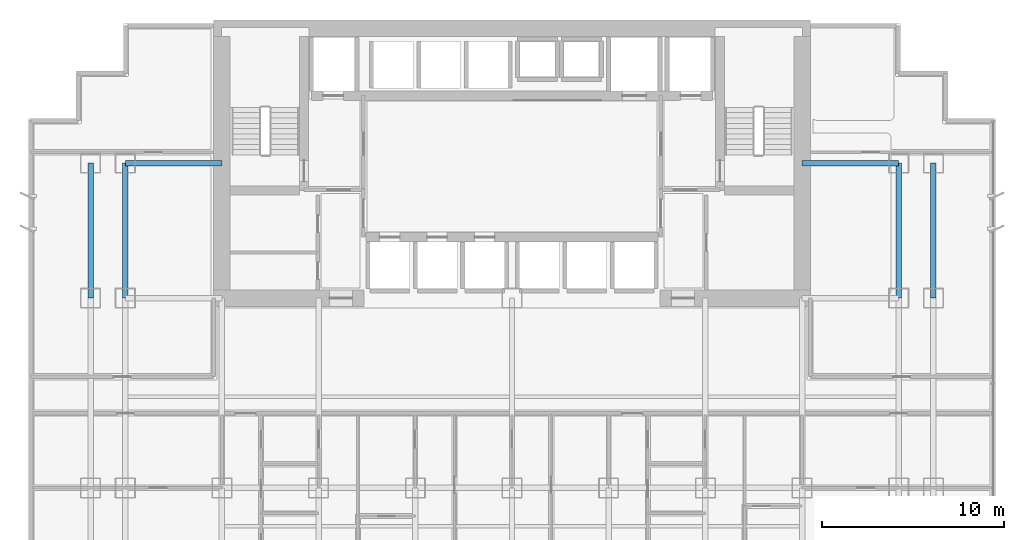
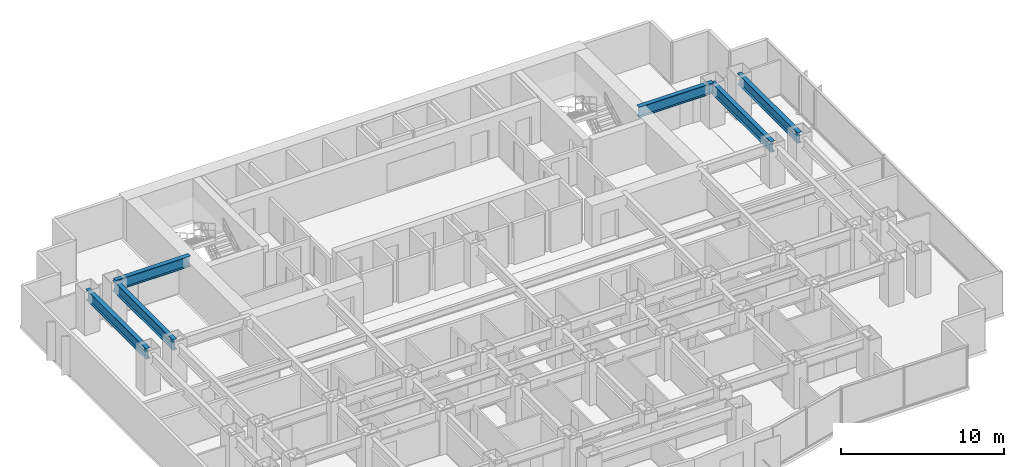
# One storey, part 4 of 12: 6 beams.
"""IFC4 building model written with IfcOpenShell, lengths in metres."""

from ifc_helpers import new_model, si_unit, direction, frame, origin, origin_2d, place, context, subcontext, project, spatial, i_section, extrude, material, material_profile, profile_set, type_object, element, save


model = new_model("IFC4")

# Units and contexts
model_context = context("Model", 3, precision=1e-05, world=origin(), true_north=direction((0.0, 1.0)))
body_context = subcontext(model_context, "Body", "Model", "MODEL_VIEW")
ifc_project = project(units=[si_unit("LENGTHUNIT", "METRE"), si_unit("AREAUNIT", "SQUARE_METRE"), si_unit("VOLUMEUNIT", "CUBIC_METRE"), si_unit("PLANEANGLEUNIT", "RADIAN"), si_unit("MASSUNIT", "GRAM", prefix="KILO")], contexts=[model_context])

# Site, building, storey
site_placement = place(None, origin())
site = spatial("IfcSite", under=ifc_project, at=site_placement, CompositionType="ELEMENT")
building_placement = place(site_placement, origin())
building = spatial("IfcBuilding", under=site, at=building_placement, Name="Qianlan Lanfeng Residences", CompositionType="ELEMENT")
storey_placement = place(building_placement, frame((0.0, 0.0, 63.800048828125)))
storey = spatial("IfcBuildingStorey", under=building, at=storey_placement, Name="L17", CompositionType="ELEMENT", Elevation=63.800048828125)

# Beams
ifc_material = material(Name="Steel SN490B", Category="steel")
ifc_material_profile = material_profile(ifc_material, i_section(OverallWidth=0.300048828125, OverallDepth=0.800048828125, WebThickness=0.01611328125, FlangeThickness=0.028076171875, at=origin_2d()), Name="H 800x300x16x28")
ifc_profile_set = profile_set([ifc_material_profile], Name="Steel SN490B")
beam_type = type_object("IfcBeamType", Name="G-950", PredefinedType="BEAM", material=ifc_profile_set)
for number, where, z_axis, x_axis, name in (
    (1, (5.300048828125, 32.60009765625, 2.679931640625), (1.0, 0.0, 0.0), (0.0, 1.0, 0.0), "Structural beam G-950"),
    (2, (42.39990234375, 32.60009765625, 2.679931640625), (1.0, 0.0, 0.0), (0.0, 1.0, 0.0), "Structural beam G-950"),
):
    element("IfcBeam", number, at=place(storey_placement, frame(where, z_axis=z_axis, x_axis=x_axis)), inside=storey, type_object=beam_type, Name=name, PredefinedType="BEAM", context=body_context, shape_type="SweptSolid", body=[
        extrude(i_section(OverallWidth=0.300048828125, OverallDepth=0.800048828125, WebThickness=0.01611328125, FlangeThickness=0.028076171875, at=origin_2d()), origin(), (0.0, 0.0, 1.0), 5.300048828125),
    ])
for number, where, z_axis, x_axis, name in (
    (3, (3.39990234375, 25.199951171875, 2.679931640625), (0.0, 1.0, 0.0), (-1.0, 0.0, 0.0), "Structural beam G-950"),
    (4, (5.300048828125, 25.199951171875, 2.679931640625), (0.0, 1.0, 0.0), (-1.0, 0.0, 0.0), "Structural beam G-950"),
    (5, (47.699951171875, 25.199951171875, 2.679931640625), (0.0, 1.0, 0.0), (-1.0, 0.0, 0.0), "Structural beam G-950"),
    (6, (49.60009765625, 25.199951171875, 2.679931640625), (0.0, 1.0, 0.0), (-1.0, 0.0, 0.0), "Structural beam G-950"),
):
    element("IfcBeam", number, at=place(storey_placement, frame(where, z_axis=z_axis, x_axis=x_axis)), inside=storey, type_object=beam_type, Name=name, PredefinedType="BEAM", context=body_context, shape_type="SweptSolid", body=[
        extrude(i_section(OverallWidth=0.300048828125, OverallDepth=0.800048828125, WebThickness=0.01611328125, FlangeThickness=0.028076171875, at=origin_2d()), origin(), (0.0, 0.0, 1.0), 7.400146484375),
    ])

save(model, "model.ifc")
